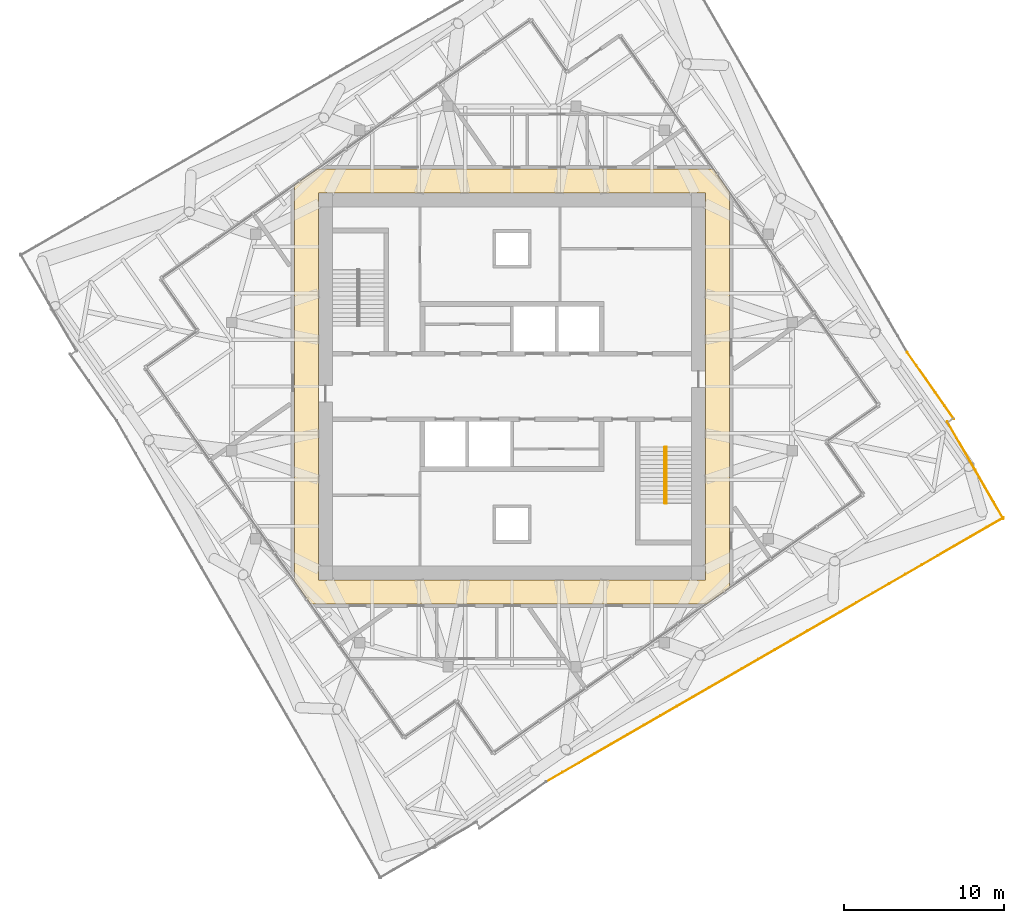
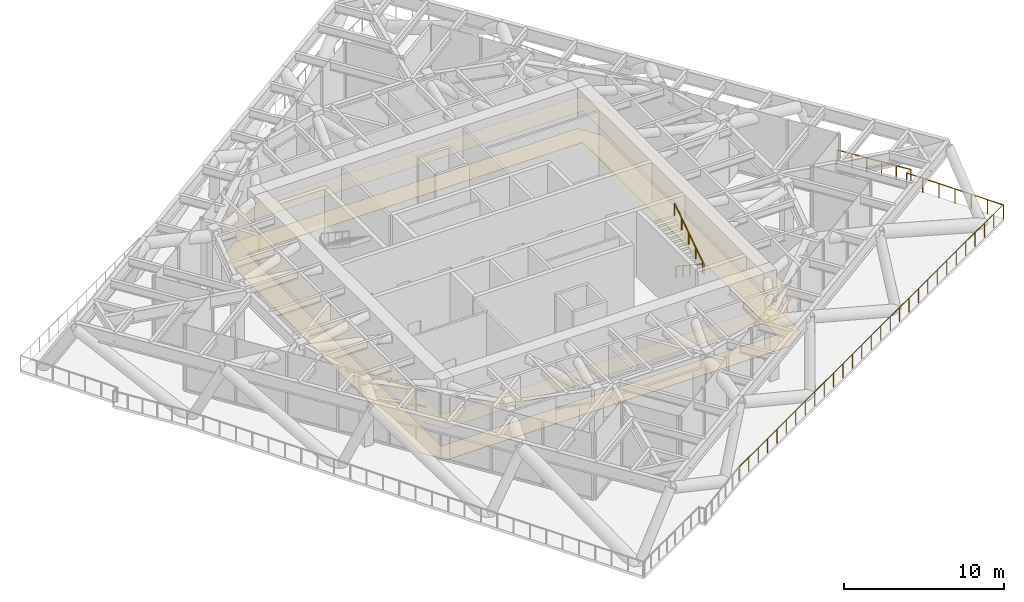
# One storey, part 13 of 16: 5 railings, 2 coverings, 1 element without a shape of its own.
"""IFC4 building model written with IfcOpenShell, lengths in metres."""

import ifcopenshell
import ifcopenshell.guid

model = None  # the IFC model being written
_history = None  # IfcOwnerHistory: only IFC2X3 demands one
_inside = {}  # id of a spatial element -> (the spatial element, [elements in it])
_under = {}  # id of a project, library or spatial element -> (it, [spatial elements below it])
_declared = {}  # id of a project -> (the project, [libraries it declares])
_typed = {}  # id of a type object -> (the type object, [elements of that type])
_made_of = {}  # id of a material, layer set ... -> (it, [elements and type objects made of it])


def new_model(schema):
    """Start an empty IFC model of exactly this schema.

    Asked for "IFC4X3", IfcOpenShell would pick the latest addendum, in which some entities
    have other attributes; the version numbers below select the first issue.
    IFC2X3 requires an IfcOwnerHistory on every rooted entity: one is made here for all.
    """
    global model, _history
    if schema == "IFC4X3":
        model = ifcopenshell.file(schema_version=(4, 3, 0, 0))
    else:
        model = ifcopenshell.file(schema=schema)
    _inside.clear()
    _under.clear()
    _declared.clear()
    _typed.clear()
    _made_of.clear()
    _history = None
    if model.schema == "IFC2X3":
        org = make("IfcOrganization", Name="unknown")
        user = make(
            "IfcPersonAndOrganization",
            ThePerson=make("IfcPerson", FamilyName="unknown"),
            TheOrganization=org,
        )
        app = make(
            "IfcApplication",
            ApplicationDeveloper=org,
            Version="unknown",
            ApplicationFullName="unknown",
            ApplicationIdentifier="unknown",
        )
        _history = make(
            "IfcOwnerHistory",
            OwningUser=user,
            OwningApplication=app,
            ChangeAction="ADDED",
            CreationDate=0,
        )
    return model


def make(cls, **values):
    """One entity of the class cls with the attributes given. An attribute that is None is left unset."""
    return model.create_entity(
        cls, **{name: value for name, value in values.items() if value is not None}
    )


def rooted(cls, **values):
    """An entity with a GlobalId (a new one), such as an element, a storey or a relation."""
    return make(cls, GlobalId=ifcopenshell.guid.new(), OwnerHistory=_history, **values)


def si_unit(unit_type, name, prefix=None):
    """IfcSIUnit, for example si_unit("LENGTHUNIT", "METRE", prefix="MILLI")."""
    return make("IfcSIUnit", UnitType=unit_type, Prefix=prefix, Name=name)


def assignment(units):
    """IfcUnitAssignment: the units of a project."""
    return None if units is None else make("IfcUnitAssignment", Units=units)


def point(xyz):
    """IfcCartesianPoint."""
    return None if xyz is None else make("IfcCartesianPoint", Coordinates=xyz)


def direction(xyz):
    """IfcDirection."""
    return None if xyz is None else make("IfcDirection", DirectionRatios=xyz)


def frame(location, z_axis=None, x_axis=None):
    """IfcAxis2Placement3D, a coordinate frame: its origin and axes. An axis left out is left unset."""
    return make(
        "IfcAxis2Placement3D",
        Location=point(location),
        Axis=direction(z_axis),
        RefDirection=direction(x_axis),
    )


def frame_2d(location, x_axis=None):
    """IfcAxis2Placement2D, a coordinate frame in the plane: its origin and x axis."""
    return make(
        "IfcAxis2Placement2D", Location=point(location), RefDirection=direction(x_axis)
    )


def origin():
    """The frame at (0, 0, 0) with its axes left unset."""
    return frame((0.0, 0.0, 0.0))


def origin_2d():
    """The frame at (0, 0) in the plane with its x axis left unset."""
    return frame_2d((0.0, 0.0))


def place(relative_to, where):
    """IfcLocalPlacement: puts the frame where relative to a parent placement (None: the world)."""
    return make(
        "IfcLocalPlacement", PlacementRelTo=relative_to, RelativePlacement=where
    )


def context(
    kind, dimensions, precision=None, world=None, true_north=None, identifier=None
):
    """IfcGeometricRepresentationContext, for example the 3D "Model" context."""
    return make(
        "IfcGeometricRepresentationContext",
        ContextIdentifier=identifier,
        ContextType=kind,
        CoordinateSpaceDimension=dimensions,
        Precision=precision,
        WorldCoordinateSystem=world,
        TrueNorth=true_north,
    )


def subcontext(parent, identifier, kind, view, scale=None):
    """IfcGeometricRepresentationSubContext, for example "Body" below "Model"."""
    return make(
        "IfcGeometricRepresentationSubContext",
        ContextIdentifier=identifier,
        ContextType=kind,
        ParentContext=parent,
        TargetScale=scale,
        TargetView=view,
    )


def project(units=None, contexts=None):
    """IfcProject with its units and contexts."""
    return rooted(
        "IfcProject",
        Name="project",
        RepresentationContexts=contexts,
        UnitsInContext=assignment(units),
    )


def spatial(cls, under=None, at=None, **own):
    """A site, building, storey or space (cls), placed at a placement, below another one or the project."""
    s = rooted(cls, ObjectPlacement=at, **own)
    if under is not None:
        _under.setdefault(under.id(), (under, []))[1].append(s)
    return s


def polyline(points):
    """IfcPolyline through the points."""
    return make("IfcPolyline", Points=[point(p) for p in points])


def profile(cls, at=None, kind="AREA", **sizes):
    """A parametric profile (cls). Its sizes go by their IFC names, for example OverallWidth=200.0."""
    return make(cls, ProfileType=kind, Position=at, **sizes)


def circle(**sizes):
    """IfcCircleProfileDef."""
    return profile("IfcCircleProfileDef", **sizes)


def outline(outer, holes=None, kind="AREA"):
    """IfcArbitraryClosedProfileDef: a profile drawn as a closed curve; with holes, ...WithVoids."""
    if holes is None:
        return make("IfcArbitraryClosedProfileDef", ProfileType=kind, OuterCurve=outer)
    return make(
        "IfcArbitraryProfileDefWithVoids",
        ProfileType=kind,
        OuterCurve=outer,
        InnerCurves=holes,
    )


def extrude(swept, where, along, depth):
    """IfcExtrudedAreaSolid: the profile swept, set in the frame where, extruded along a direction by depth."""
    return make(
        "IfcExtrudedAreaSolid",
        SweptArea=swept,
        Position=where,
        ExtrudedDirection=direction(along),
        Depth=depth,
    )


def shape(context_of_items, identifier, shape_type, items):
    """IfcShapeRepresentation: the items that make up one representation, for example the "Body"."""
    return make(
        "IfcShapeRepresentation",
        ContextOfItems=context_of_items,
        RepresentationIdentifier=identifier,
        RepresentationType=shape_type,
        Items=items,
    )


def material(Name=None, Category=None):
    """IfcMaterial."""
    return make("IfcMaterial", Name=Name, Category=Category)


def layer(
    of_material, thickness, ventilated=None, Name=None, Category=None, Priority=None
):
    """IfcMaterialLayer: one layer of a wall or slab, of a material (None: an air gap)."""
    return make(
        "IfcMaterialLayer",
        Material=of_material,
        LayerThickness=thickness,
        IsVentilated=ventilated,
        Name=Name,
        Category=Category,
        Priority=Priority,
    )


def layer_set(layers, Name=None):
    """IfcMaterialLayerSet."""
    return make("IfcMaterialLayerSet", MaterialLayers=layers, LayerSetName=Name)


def made_of(thing, what):
    """Note that an element or type object is made of a material, layer set ...; save() writes the relation."""
    if what is not None:
        _made_of.setdefault(what.id(), (what, []))[1].append(thing)
    return thing


def type_object(cls, material=None, **own):
    """A type object (cls), such as IfcWallType, which elements share."""
    return made_of(rooted(cls, **own), material)


def element(
    cls,
    number,
    at=None,
    inside=None,
    cuts=None,
    type_object=None,
    material=None,
    context=None,
    identifier="Body",
    shape_type=None,
    held_by="IfcProductDefinitionShape",
    body=None,
    shapes=None,
    **own,
):
    """One element of the class cls, such as IfcWall. Its Tag is "e" and its number.

    at: its placement. inside: the storey or other place that contains it. cuts: it is an
    opening in that element (IfcRelVoidsElement). A single representation is given by context,
    identifier, shape_type and body (its items); several are given by shapes. held_by: the class
    of the entity that holds the representations. save() writes the other relations.
    """
    e = rooted(cls, Tag="e%d" % number, ObjectPlacement=at, **own)
    if body is not None:
        shapes = [shape(context, identifier, shape_type, body)]
    if shapes is not None:
        e.Representation = make(held_by, Representations=shapes)
    if inside is not None:
        _inside.setdefault(inside.id(), (inside, []))[1].append(e)
    if cuts is not None:
        rooted(
            "IfcRelVoidsElement", RelatingBuildingElement=cuts, RelatedOpeningElement=e
        )
    if type_object is not None:
        _typed.setdefault(type_object.id(), (type_object, []))[1].append(e)
    return made_of(e, material)


def aggregate(whole, parts):
    """IfcRelAggregates: a whole, such as a stair, and the parts it consists of."""
    return rooted("IfcRelAggregates", RelatingObject=whole, RelatedObjects=parts)


def save(model, path):
    """Write the relations noted so far, then the file.

    IfcRelAggregates (storeys below a building ...), IfcRelContainedInSpatialStructure (elements
    in a storey), IfcRelDefinesByType, IfcRelAssociatesMaterial and IfcRelDeclares: one each for
    every whole, place, type object, material and project.
    """
    for whole, parts in _under.values():
        aggregate(whole, parts)
    for where, things in _inside.values():
        rooted(
            "IfcRelContainedInSpatialStructure",
            RelatedElements=things,
            RelatingStructure=where,
        )
    for kind, things in _typed.values():
        rooted("IfcRelDefinesByType", RelatedObjects=things, RelatingType=kind)
    for what, things in _made_of.values():
        rooted("IfcRelAssociatesMaterial", RelatedObjects=things, RelatingMaterial=what)
    for by, libraries in _declared.values():
        rooted("IfcRelDeclares", RelatingContext=by, RelatedDefinitions=libraries)
    model.write(path)


model = new_model("IFC4")

# Units and contexts
model_context = context("Model", 3, precision=1e-05, world=origin(), true_north=direction((0.0, 1.0)))
body_context = subcontext(model_context, "Body", "Model", "MODEL_VIEW")
ifc_project = project(units=[si_unit("LENGTHUNIT", "METRE"), si_unit("AREAUNIT", "SQUARE_METRE"), si_unit("VOLUMEUNIT", "CUBIC_METRE"), si_unit("PLANEANGLEUNIT", "RADIAN"), si_unit("MASSUNIT", "GRAM", prefix="KILO")], contexts=[model_context])

# Site, building, storey
site_placement = place(None, origin())
site = spatial("IfcSite", under=ifc_project, at=site_placement, CompositionType="ELEMENT")
building_placement = place(site_placement, origin())
building = spatial("IfcBuilding", under=site, at=building_placement, Name="Torsade Residences", CompositionType="ELEMENT")
storey_placement = place(building_placement, frame((0.0, 0.0, 235.39990234375)))
storey = spatial("IfcBuildingStorey", under=building, at=storey_placement, Name="L65", CompositionType="ELEMENT", Elevation=235.39990234375)

# Coverings
ifc_material_1 = material(Name="Nylon carpet tile on underlay", Category="textile")
ifc_layer_1 = layer(ifc_material_1, 0.010009765625)
ifc_layer_set_1 = layer_set([ifc_layer_1], Name="Nylon carpet tile on underlay")
covering_type_1 = type_object("IfcCoveringType", Name="CORRIDOR CARPET TILE 10", PredefinedType="FLOORING", material=ifc_layer_set_1)
covering_1_placement = place(storey_placement, origin())
element("IfcCovering", 1, at=covering_1_placement, inside=storey, type_object=covering_type_1, Name="Corridor carpet L65", PredefinedType="FLOORING", context=body_context, shape_type="SweptSolid", body=[
    extrude(outline(polyline([(26.39990234375, 17.866455078125), (27.4267578125, 16.39990234375), (52.133544921875, 16.39990234375), (53.60009765625, 17.4267578125), (53.60009765625, 42.133544921875), (52.5732421875, 43.60009765625), (27.866455078125, 43.60009765625), (26.39990234375, 42.5732421875), (26.39990234375, 17.866455078125)]), holes=[polyline([(27.89990234375, 42.10009765625), (27.89990234375, 17.89990234375), (52.10009765625, 17.89990234375), (52.10009765625, 42.10009765625), (27.89990234375, 42.10009765625)])]), origin(), (0.0, 0.0, 1.0), 0.010009765625),
])
ifc_material_2 = material(Name="Plasterboard on suspended steel grid", Category="steel")
ifc_layer_2 = layer(ifc_material_2, 0.012939453125)
ifc_layer_set_2 = layer_set([ifc_layer_2], Name="Plasterboard on suspended steel grid")
covering_type_2 = type_object("IfcCoveringType", Name="CORRIDOR SUSPENDED CEILING 13", PredefinedType="CEILING", material=ifc_layer_set_2)
covering_2_placement = place(storey_placement, frame((0.0, 0.0, 2.400146484375)))
element("IfcCovering", 2, at=covering_2_placement, inside=storey, type_object=covering_type_2, Name="Corridor ceiling L65", PredefinedType="CEILING", context=body_context, shape_type="SweptSolid", body=[
    extrude(outline(polyline([(26.39990234375, 17.866455078125), (27.4267578125, 16.39990234375), (52.133544921875, 16.39990234375), (53.60009765625, 17.4267578125), (53.60009765625, 42.133544921875), (52.5732421875, 43.60009765625), (27.866455078125, 43.60009765625), (26.39990234375, 42.5732421875), (26.39990234375, 17.866455078125)]), holes=[polyline([(27.89990234375, 42.10009765625), (27.89990234375, 17.89990234375), (52.10009765625, 17.89990234375), (52.10009765625, 42.10009765625), (27.89990234375, 42.10009765625)])]), origin(), (0.0, 0.0, 1.0), 0.012939453125),
])

# Railings
ifc_material_3 = material(Name="Galvanised steel guard rail", Category="steel")
railing_type_1 = type_object("IfcRailingType", Name="ROOF EDGE GUARD 1100", PredefinedType="GUARDRAIL", material=ifc_material_3)
railing_1_placement = place(storey_placement, frame((42.13916015625, 5.31201171875, 0.0)))
element("IfcRailing", 3, at=railing_1_placement, inside=storey, type_object=railing_type_1, Name="Roof edge guard L65 4", PredefinedType="GUARDRAIL", context=body_context, shape_type="SweptSolid", body=[
    extrude(circle(Radius=0.02392578125, at=origin_2d()), frame((0.0, 0.0, 1.076171875), z_axis=(0.866027725812, 0.49999597811, 0.0), x_axis=(-0.49999597811, 0.866027725812, 0.0)), (0.0, 0.0, 1.0), 32.991455078125),
    extrude(circle(Radius=0.02099609375, at=origin_2d()), origin(), (0.0, 0.0, 1.0), 1.052001953125),
    extrude(circle(Radius=0.02099609375, at=origin_2d()), frame((1.0205078125, 0.589111328125, 0.0)), (0.0, 0.0, 1.0), 1.052001953125),
    extrude(circle(Radius=0.02099609375, at=origin_2d()), frame((2.040771484375, 1.17822265625, 0.0)), (0.0, 0.0, 1.0), 1.052001953125),
    extrude(circle(Radius=0.02099609375, at=origin_2d()), frame((3.061279296875, 1.767333984375, 0.0)), (0.0, 0.0, 1.0), 1.052001953125),
    extrude(circle(Radius=0.02099609375, at=origin_2d()), frame((4.08154296875, 2.3564453125, 0.0)), (0.0, 0.0, 1.0), 1.052001953125),
    extrude(circle(Radius=0.02099609375, at=origin_2d()), frame((5.10205078125, 2.945556640625, 0.0)), (0.0, 0.0, 1.0), 1.052001953125),
    extrude(circle(Radius=0.02099609375, at=origin_2d()), frame((6.12255859375, 3.53466796875, 0.0)), (0.0, 0.0, 1.0), 1.052001953125),
    extrude(circle(Radius=0.02099609375, at=origin_2d()), frame((7.142822265625, 4.1240234375, 0.0)), (0.0, 0.0, 1.0), 1.052001953125),
    extrude(circle(Radius=0.02099609375, at=origin_2d()), frame((8.163330078125, 4.713134765625, 0.0)), (0.0, 0.0, 1.0), 1.052001953125),
    extrude(circle(Radius=0.02099609375, at=origin_2d()), frame((9.18359375, 5.30224609375, 0.0)), (0.0, 0.0, 1.0), 1.052001953125),
    extrude(circle(Radius=0.02099609375, at=origin_2d()), frame((10.2041015625, 5.891357421875, 0.0)), (0.0, 0.0, 1.0), 1.052001953125),
    extrude(circle(Radius=0.02099609375, at=origin_2d()), frame((11.224609375, 6.48046875, 0.0)), (0.0, 0.0, 1.0), 1.052001953125),
    extrude(circle(Radius=0.02099609375, at=origin_2d()), frame((12.244873046875, 7.069580078125, 0.0)), (0.0, 0.0, 1.0), 1.052001953125),
    extrude(circle(Radius=0.02099609375, at=origin_2d()), frame((13.265380859375, 7.65869140625, 0.0)), (0.0, 0.0, 1.0), 1.052001953125),
    extrude(circle(Radius=0.02099609375, at=origin_2d()), frame((14.28564453125, 8.247802734375, 0.0)), (0.0, 0.0, 1.0), 1.052001953125),
    extrude(circle(Radius=0.02099609375, at=origin_2d()), frame((15.30615234375, 8.8369140625, 0.0)), (0.0, 0.0, 1.0), 1.052001953125),
    extrude(circle(Radius=0.02099609375, at=origin_2d()), frame((16.32666015625, 9.426025390625, 0.0)), (0.0, 0.0, 1.0), 1.052001953125),
    extrude(circle(Radius=0.02099609375, at=origin_2d()), frame((17.346923828125, 10.01513671875, 0.0)), (0.0, 0.0, 1.0), 1.052001953125),
    extrude(circle(Radius=0.02099609375, at=origin_2d()), frame((18.367431640625, 10.604248046875, 0.0)), (0.0, 0.0, 1.0), 1.052001953125),
    extrude(circle(Radius=0.02099609375, at=origin_2d()), frame((19.387939453125, 11.193359375, 0.0)), (0.0, 0.0, 1.0), 1.052001953125),
    extrude(circle(Radius=0.02099609375, at=origin_2d()), frame((20.408203125, 11.782470703125, 0.0)), (0.0, 0.0, 1.0), 1.052001953125),
    extrude(circle(Radius=0.02099609375, at=origin_2d()), frame((21.4287109375, 12.37158203125, 0.0)), (0.0, 0.0, 1.0), 1.052001953125),
    extrude(circle(Radius=0.02099609375, at=origin_2d()), frame((22.448974609375, 12.9609375, 0.0)), (0.0, 0.0, 1.0), 1.052001953125),
    extrude(circle(Radius=0.02099609375, at=origin_2d()), frame((23.469482421875, 13.550048828125, 0.0)), (0.0, 0.0, 1.0), 1.052001953125),
    extrude(circle(Radius=0.02099609375, at=origin_2d()), frame((24.489990234375, 14.13916015625, 0.0)), (0.0, 0.0, 1.0), 1.052001953125),
    extrude(circle(Radius=0.02099609375, at=origin_2d()), frame((25.51025390625, 14.728271484375, 0.0)), (0.0, 0.0, 1.0), 1.052001953125),
    extrude(circle(Radius=0.02099609375, at=origin_2d()), frame((26.53076171875, 15.3173828125, 0.0)), (0.0, 0.0, 1.0), 1.052001953125),
    extrude(circle(Radius=0.02099609375, at=origin_2d()), frame((27.551025390625, 15.906494140625, 0.0)), (0.0, 0.0, 1.0), 1.052001953125),
    extrude(circle(Radius=0.02099609375, at=origin_2d()), frame((28.571533203125, 16.49560546875, 0.0)), (0.0, 0.0, 1.0), 1.052001953125),
])
railing_2_placement = place(storey_placement, frame((70.6923828125, 21.739501953125, 0.0)))
element("IfcRailing", 4, at=railing_2_placement, inside=storey, type_object=railing_type_1, Name="Roof edge guard L65 5", PredefinedType="GUARDRAIL", context=body_context, shape_type="SweptSolid", body=[
    extrude(circle(Radius=0.02392578125, at=origin_2d()), frame((0.0, 0.0, 1.076171875), z_axis=(-0.50001759125, 0.866015247234, 0.0), x_axis=(-0.866015247234, -0.50001759125, 0.0)), (0.0, 0.0, 1.0), 6.993408203125),
    extrude(circle(Radius=0.02099609375, at=origin_2d()), origin(), (0.0, 0.0, 1.0), 1.052001953125),
    extrude(circle(Radius=0.02099609375, at=origin_2d()), frame((-0.582763671875, 1.00927734375, 0.0)), (0.0, 0.0, 1.0), 1.052001953125),
    extrude(circle(Radius=0.02099609375, at=origin_2d()), frame((-1.16552734375, 2.018798828125, 0.0)), (0.0, 0.0, 1.0), 1.052001953125),
    extrude(circle(Radius=0.02099609375, at=origin_2d()), frame((-1.74853515625, 3.0283203125, 0.0)), (0.0, 0.0, 1.0), 1.052001953125),
    extrude(circle(Radius=0.02099609375, at=origin_2d()), frame((-2.331298828125, 4.03759765625, 0.0)), (0.0, 0.0, 1.0), 1.052001953125),
    extrude(circle(Radius=0.02099609375, at=origin_2d()), frame((-2.9140625, 5.046875, 0.0)), (0.0, 0.0, 1.0), 1.052001953125),
    extrude(circle(Radius=0.02099609375, at=origin_2d()), frame((-3.496826171875, 6.056396484375, 0.0)), (0.0, 0.0, 1.0), 1.052001953125),
])
railing_3_placement = place(storey_placement, frame((67.6083984375, 27.968017578125, 0.0)))
element("IfcRailing", 5, at=railing_3_placement, inside=storey, type_object=railing_type_1, Name="Roof edge guard L65 7", PredefinedType="GUARDRAIL", context=body_context, shape_type="SweptSolid", body=[
    extrude(circle(Radius=0.02392578125, at=origin_2d()), frame((0.0, 0.0, 1.076171875), z_axis=(-0.573574963181, 0.819153075812, 0.0), x_axis=(-0.819153075812, -0.573574963181, 0.0)), (0.0, 0.0, 1.0), 5.092041015625),
    extrude(circle(Radius=0.02099609375, at=origin_2d()), origin(), (0.0, 0.0, 1.0), 1.052001953125),
    extrude(circle(Radius=0.02099609375, at=origin_2d()), frame((-0.584228515625, 0.834228515625, 0.0)), (0.0, 0.0, 1.0), 1.052001953125),
    extrude(circle(Radius=0.02099609375, at=origin_2d()), frame((-1.168212890625, 1.66845703125, 0.0)), (0.0, 0.0, 1.0), 1.052001953125),
    extrude(circle(Radius=0.02099609375, at=origin_2d()), frame((-1.75244140625, 2.502685546875, 0.0)), (0.0, 0.0, 1.0), 1.052001953125),
    extrude(circle(Radius=0.02099609375, at=origin_2d()), frame((-2.33642578125, 3.3369140625, 0.0)), (0.0, 0.0, 1.0), 1.052001953125),
    extrude(circle(Radius=0.02099609375, at=origin_2d()), frame((-2.920654296875, 4.171142578125, 0.0)), (0.0, 0.0, 1.0), 1.052001953125),
])

# Stair, railings
ifc_material_4 = material(Name="Precast concrete 40 MPa", Category="concrete")
stair_type = type_object("IfcStairType", Name="HALF-TURN FIRE STAIR 1500x5000", PredefinedType="HALF_TURN_STAIR", material=ifc_material_4)
stair_placement = place(storey_placement, origin())
stair = element("IfcStair", 6, at=stair_placement, inside=storey, type_object=stair_type, Name="Stair ST2 L65", PredefinedType="HALF_TURN_STAIR")
ifc_material_5 = material(Name="Steel handrail", Category="steel")
railing_type_2 = type_object("IfcRailingType", Name="STAIR HANDRAIL 900", PredefinedType="HANDRAIL", material=ifc_material_5)
railing_4_placement = place(storey_placement, frame((49.64990234375, 26.219970703125, 0.1787109375)))
railing_4 = element("IfcRailing", 7, at=railing_4_placement, type_object=railing_type_2, Name="Handrail ST2 flight 1 L65", PredefinedType="HANDRAIL", context=body_context, shape_type="SweptSolid", body=[
    extrude(circle(Radius=0.02392578125, at=origin_2d()), frame((0.0, 0.0, 0.8759765625), z_axis=(0.0, -0.834097473627, 0.551617081397), x_axis=(1.0, 0.0, 0.0)), (0.0, 0.0, 1.0), 4.208251953125),
    extrude(circle(Radius=0.02099609375, at=origin_2d()), origin(), (0.0, 0.0, 1.0), 0.851806640625),
    extrude(circle(Radius=0.02099609375, at=origin_2d()), frame((0.0, -0.87744140625, 0.580322265625)), (0.0, 0.0, 1.0), 0.851806640625),
    extrude(circle(Radius=0.02099609375, at=origin_2d()), frame((0.0, -1.7548828125, 1.16064453125)), (0.0, 0.0, 1.0), 0.851806640625),
    extrude(circle(Radius=0.02099609375, at=origin_2d()), frame((0.0, -2.632568359375, 1.740966796875)), (0.0, 0.0, 1.0), 0.851806640625),
    extrude(circle(Radius=0.02099609375, at=origin_2d()), frame((0.0, -3.510009765625, 2.3212890625)), (0.0, 0.0, 1.0), 0.851806640625),
])
railing_5_placement = place(storey_placement, frame((49.550048828125, 22.7099609375, 2.6787109375)))
railing_5 = element("IfcRailing", 8, at=railing_5_placement, type_object=railing_type_2, Name="Handrail ST2 flight 2 L65", PredefinedType="HANDRAIL", context=body_context, shape_type="SweptSolid", body=[
    extrude(circle(Radius=0.02392578125, at=origin_2d()), frame((0.0, 0.0, 0.8759765625), z_axis=(0.0, 0.834097473627, 0.551617081397), x_axis=(-1.0, 0.0, 0.0)), (0.0, 0.0, 1.0), 4.208251953125),
    extrude(circle(Radius=0.02099609375, at=origin_2d()), origin(), (0.0, 0.0, 1.0), 0.851806640625),
    extrude(circle(Radius=0.02099609375, at=origin_2d()), frame((0.0, 0.87744140625, 0.580322265625)), (0.0, 0.0, 1.0), 0.851806640625),
    extrude(circle(Radius=0.02099609375, at=origin_2d()), frame((0.0, 1.7548828125, 1.16064453125)), (0.0, 0.0, 1.0), 0.851806640625),
    extrude(circle(Radius=0.02099609375, at=origin_2d()), frame((0.0, 2.632568359375, 1.740966796875)), (0.0, 0.0, 1.0), 0.851806640625),
    extrude(circle(Radius=0.02099609375, at=origin_2d()), frame((0.0, 3.510009765625, 2.3212890625)), (0.0, 0.0, 1.0), 0.851806640625),
])
aggregate(stair, [railing_4, railing_5])

save(model, "model.ifc")
